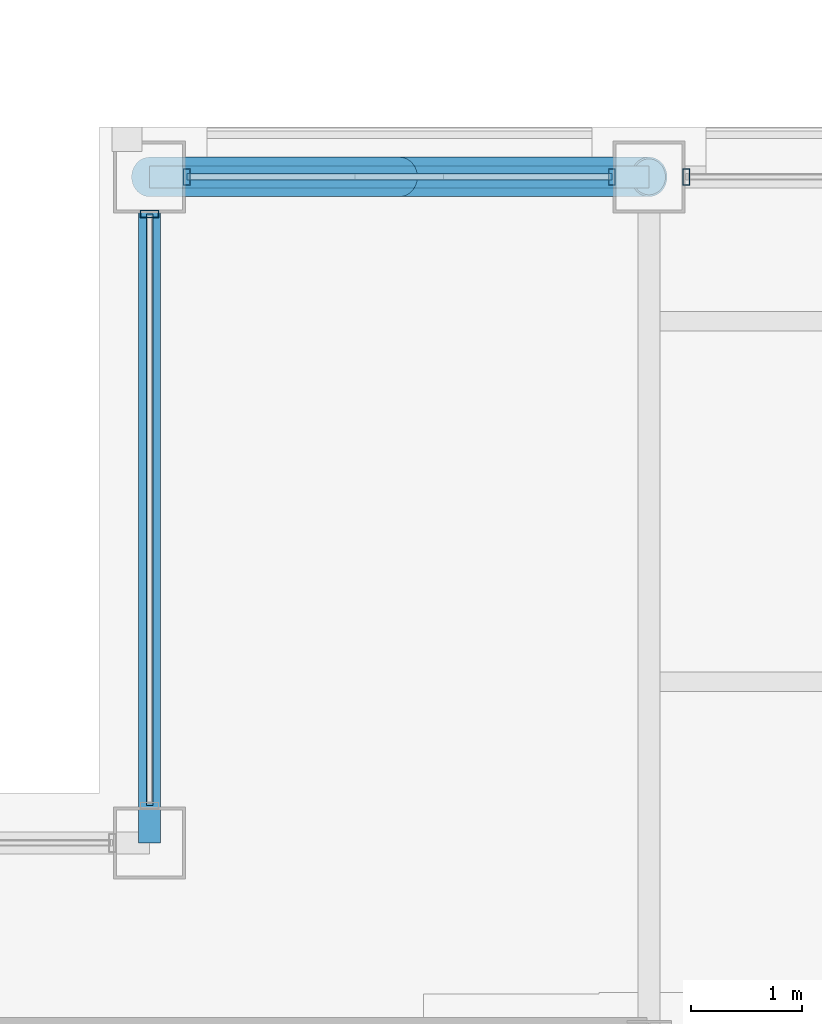
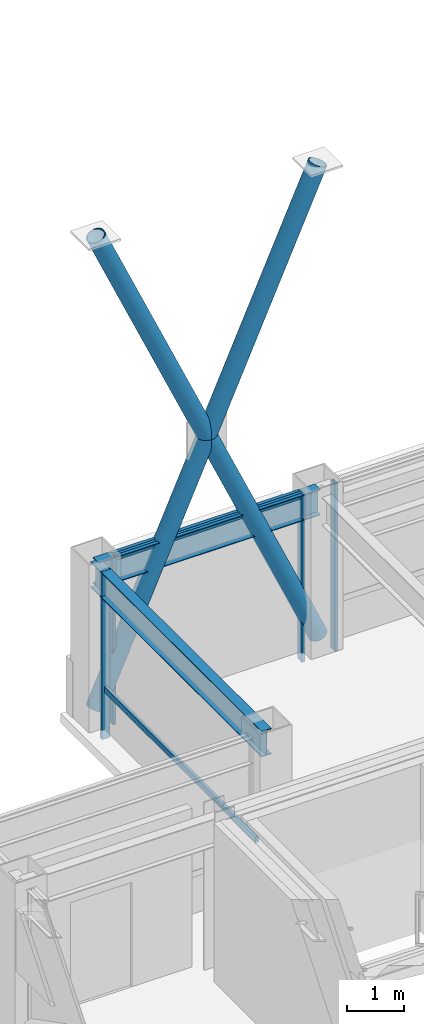
# One storey, part 19 of 30: 9 members, 2 beams, 3 elements without a shape of their own.
"""IFC4 building model written with IfcOpenShell, lengths in metres."""

import ifcopenshell
import ifcopenshell.guid

model = None  # the IFC model being written
_history = None  # IfcOwnerHistory: only IFC2X3 demands one
_inside = {}  # id of a spatial element -> (the spatial element, [elements in it])
_under = {}  # id of a project, library or spatial element -> (it, [spatial elements below it])
_declared = {}  # id of a project -> (the project, [libraries it declares])
_typed = {}  # id of a type object -> (the type object, [elements of that type])
_made_of = {}  # id of a material, layer set ... -> (it, [elements and type objects made of it])


def new_model(schema):
    """Start an empty IFC model of exactly this schema.

    Asked for "IFC4X3", IfcOpenShell would pick the latest addendum, in which some entities
    have other attributes; the version numbers below select the first issue.
    IFC2X3 requires an IfcOwnerHistory on every rooted entity: one is made here for all.
    """
    global model, _history
    if schema == "IFC4X3":
        model = ifcopenshell.file(schema_version=(4, 3, 0, 0))
    else:
        model = ifcopenshell.file(schema=schema)
    _inside.clear()
    _under.clear()
    _declared.clear()
    _typed.clear()
    _made_of.clear()
    _history = None
    if model.schema == "IFC2X3":
        org = make("IfcOrganization", Name="unknown")
        user = make(
            "IfcPersonAndOrganization",
            ThePerson=make("IfcPerson", FamilyName="unknown"),
            TheOrganization=org,
        )
        app = make(
            "IfcApplication",
            ApplicationDeveloper=org,
            Version="unknown",
            ApplicationFullName="unknown",
            ApplicationIdentifier="unknown",
        )
        _history = make(
            "IfcOwnerHistory",
            OwningUser=user,
            OwningApplication=app,
            ChangeAction="ADDED",
            CreationDate=0,
        )
    return model


def make(cls, **values):
    """One entity of the class cls with the attributes given. An attribute that is None is left unset."""
    return model.create_entity(
        cls, **{name: value for name, value in values.items() if value is not None}
    )


def rooted(cls, **values):
    """An entity with a GlobalId (a new one), such as an element, a storey or a relation."""
    return make(cls, GlobalId=ifcopenshell.guid.new(), OwnerHistory=_history, **values)


def si_unit(unit_type, name, prefix=None):
    """IfcSIUnit, for example si_unit("LENGTHUNIT", "METRE", prefix="MILLI")."""
    return make("IfcSIUnit", UnitType=unit_type, Prefix=prefix, Name=name)


def assignment(units):
    """IfcUnitAssignment: the units of a project."""
    return None if units is None else make("IfcUnitAssignment", Units=units)


def point(xyz):
    """IfcCartesianPoint."""
    return None if xyz is None else make("IfcCartesianPoint", Coordinates=xyz)


def direction(xyz):
    """IfcDirection."""
    return None if xyz is None else make("IfcDirection", DirectionRatios=xyz)


def frame(location, z_axis=None, x_axis=None):
    """IfcAxis2Placement3D, a coordinate frame: its origin and axes. An axis left out is left unset."""
    return make(
        "IfcAxis2Placement3D",
        Location=point(location),
        Axis=direction(z_axis),
        RefDirection=direction(x_axis),
    )


def frame_2d(location, x_axis=None):
    """IfcAxis2Placement2D, a coordinate frame in the plane: its origin and x axis."""
    return make(
        "IfcAxis2Placement2D", Location=point(location), RefDirection=direction(x_axis)
    )


def origin():
    """The frame at (0, 0, 0) with its axes left unset."""
    return frame((0.0, 0.0, 0.0))


def origin_2d():
    """The frame at (0, 0) in the plane with its x axis left unset."""
    return frame_2d((0.0, 0.0))


def place(relative_to, where):
    """IfcLocalPlacement: puts the frame where relative to a parent placement (None: the world)."""
    return make(
        "IfcLocalPlacement", PlacementRelTo=relative_to, RelativePlacement=where
    )


def context(
    kind, dimensions, precision=None, world=None, true_north=None, identifier=None
):
    """IfcGeometricRepresentationContext, for example the 3D "Model" context."""
    return make(
        "IfcGeometricRepresentationContext",
        ContextIdentifier=identifier,
        ContextType=kind,
        CoordinateSpaceDimension=dimensions,
        Precision=precision,
        WorldCoordinateSystem=world,
        TrueNorth=true_north,
    )


def subcontext(parent, identifier, kind, view, scale=None):
    """IfcGeometricRepresentationSubContext, for example "Body" below "Model"."""
    return make(
        "IfcGeometricRepresentationSubContext",
        ContextIdentifier=identifier,
        ContextType=kind,
        ParentContext=parent,
        TargetScale=scale,
        TargetView=view,
    )


def project(units=None, contexts=None):
    """IfcProject with its units and contexts."""
    return rooted(
        "IfcProject",
        Name="project",
        RepresentationContexts=contexts,
        UnitsInContext=assignment(units),
    )


def spatial(cls, under=None, at=None, **own):
    """A site, building, storey or space (cls), placed at a placement, below another one or the project."""
    s = rooted(cls, ObjectPlacement=at, **own)
    if under is not None:
        _under.setdefault(under.id(), (under, []))[1].append(s)
    return s


def profile(cls, at=None, kind="AREA", **sizes):
    """A parametric profile (cls). Its sizes go by their IFC names, for example OverallWidth=200.0."""
    return make(cls, ProfileType=kind, Position=at, **sizes)


def hollow_rectangle(**sizes):
    """IfcRectangleHollowProfileDef."""
    return profile("IfcRectangleHollowProfileDef", **sizes)


def hollow_circle(**sizes):
    """IfcCircleHollowProfileDef."""
    return profile("IfcCircleHollowProfileDef", **sizes)


def i_section(**sizes):
    """IfcIShapeProfileDef."""
    return profile("IfcIShapeProfileDef", **sizes)


def extrude(swept, where, along, depth):
    """IfcExtrudedAreaSolid: the profile swept, set in the frame where, extruded along a direction by depth."""
    return make(
        "IfcExtrudedAreaSolid",
        SweptArea=swept,
        Position=where,
        ExtrudedDirection=direction(along),
        Depth=depth,
    )


def shape(context_of_items, identifier, shape_type, items):
    """IfcShapeRepresentation: the items that make up one representation, for example the "Body"."""
    return make(
        "IfcShapeRepresentation",
        ContextOfItems=context_of_items,
        RepresentationIdentifier=identifier,
        RepresentationType=shape_type,
        Items=items,
    )


def material(Name=None, Category=None):
    """IfcMaterial."""
    return make("IfcMaterial", Name=Name, Category=Category)


def layer(
    of_material, thickness, ventilated=None, Name=None, Category=None, Priority=None
):
    """IfcMaterialLayer: one layer of a wall or slab, of a material (None: an air gap)."""
    return make(
        "IfcMaterialLayer",
        Material=of_material,
        LayerThickness=thickness,
        IsVentilated=ventilated,
        Name=Name,
        Category=Category,
        Priority=Priority,
    )


def layer_set(layers, Name=None):
    """IfcMaterialLayerSet."""
    return make("IfcMaterialLayerSet", MaterialLayers=layers, LayerSetName=Name)


def material_profile(
    of_material, cross_section, Name=None, Category=None, Priority=None
):
    """IfcMaterialProfile: a cross section and its material."""
    return make(
        "IfcMaterialProfile",
        Name=Name,
        Material=of_material,
        Profile=cross_section,
        Priority=Priority,
        Category=Category,
    )


def profile_set(profiles, Name=None, composite=None):
    """IfcMaterialProfileSet."""
    return make(
        "IfcMaterialProfileSet",
        Name=Name,
        MaterialProfiles=profiles,
        CompositeProfile=composite,
    )


def made_of(thing, what):
    """Note that an element or type object is made of a material, layer set ...; save() writes the relation."""
    if what is not None:
        _made_of.setdefault(what.id(), (what, []))[1].append(thing)
    return thing


def type_object(cls, material=None, **own):
    """A type object (cls), such as IfcWallType, which elements share."""
    return made_of(rooted(cls, **own), material)


def element(
    cls,
    number,
    at=None,
    inside=None,
    cuts=None,
    type_object=None,
    material=None,
    context=None,
    identifier="Body",
    shape_type=None,
    held_by="IfcProductDefinitionShape",
    body=None,
    shapes=None,
    **own,
):
    """One element of the class cls, such as IfcWall. Its Tag is "e" and its number.

    at: its placement. inside: the storey or other place that contains it. cuts: it is an
    opening in that element (IfcRelVoidsElement). A single representation is given by context,
    identifier, shape_type and body (its items); several are given by shapes. held_by: the class
    of the entity that holds the representations. save() writes the other relations.
    """
    e = rooted(cls, Tag="e%d" % number, ObjectPlacement=at, **own)
    if body is not None:
        shapes = [shape(context, identifier, shape_type, body)]
    if shapes is not None:
        e.Representation = make(held_by, Representations=shapes)
    if inside is not None:
        _inside.setdefault(inside.id(), (inside, []))[1].append(e)
    if cuts is not None:
        rooted(
            "IfcRelVoidsElement", RelatingBuildingElement=cuts, RelatedOpeningElement=e
        )
    if type_object is not None:
        _typed.setdefault(type_object.id(), (type_object, []))[1].append(e)
    return made_of(e, material)


def aggregate(whole, parts):
    """IfcRelAggregates: a whole, such as a stair, and the parts it consists of."""
    return rooted("IfcRelAggregates", RelatingObject=whole, RelatedObjects=parts)


def save(model, path):
    """Write the relations noted so far, then the file.

    IfcRelAggregates (storeys below a building ...), IfcRelContainedInSpatialStructure (elements
    in a storey), IfcRelDefinesByType, IfcRelAssociatesMaterial and IfcRelDeclares: one each for
    every whole, place, type object, material and project.
    """
    for whole, parts in _under.values():
        aggregate(whole, parts)
    for where, things in _inside.values():
        rooted(
            "IfcRelContainedInSpatialStructure",
            RelatedElements=things,
            RelatingStructure=where,
        )
    for kind, things in _typed.values():
        rooted("IfcRelDefinesByType", RelatedObjects=things, RelatingType=kind)
    for what, things in _made_of.values():
        rooted("IfcRelAssociatesMaterial", RelatedObjects=things, RelatingMaterial=what)
    for by, libraries in _declared.values():
        rooted("IfcRelDeclares", RelatingContext=by, RelatedDefinitions=libraries)
    model.write(path)


model = new_model("IFC4")

# Units and contexts
model_context = context("Model", 3, precision=1e-05, world=origin(), true_north=direction((0.0, 1.0)))
body_context = subcontext(model_context, "Body", "Model", "MODEL_VIEW")
ifc_project = project(units=[si_unit("LENGTHUNIT", "METRE"), si_unit("AREAUNIT", "SQUARE_METRE"), si_unit("VOLUMEUNIT", "CUBIC_METRE"), si_unit("PLANEANGLEUNIT", "RADIAN"), si_unit("MASSUNIT", "GRAM", prefix="KILO")], contexts=[model_context])

# Site, building, storey
site_placement = place(None, origin())
site = spatial("IfcSite", under=ifc_project, at=site_placement, CompositionType="ELEMENT")
building_placement = place(site_placement, origin())
building = spatial("IfcBuilding", under=site, at=building_placement, Name="Brelmoor Portico Tower", CompositionType="ELEMENT")
storey_placement = place(building_placement, frame((0.0, 0.0, 236.39990234375)))
storey = spatial("IfcBuildingStorey", under=building, at=storey_placement, Name="L62", CompositionType="ELEMENT", Elevation=236.39990234375)

# Beams
ifc_material_1 = material(Name="Steel Q355B", Category="steel")
ifc_material_profile_1 = material_profile(ifc_material_1, i_section(OverallWidth=0.199951171875, OverallDepth=0.550048828125, WebThickness=0.010009765625, FlangeThickness=0.01611328125, at=origin_2d()), Name="HN 550x200x10x16")
ifc_profile_set_1 = profile_set([ifc_material_profile_1], Name="Steel Q355B")
beam_type = type_object("IfcBeamType", Name="BM-SP-550", PredefinedType="SPANDREL", material=ifc_profile_set_1)
beam_1_placement = place(storey_placement, frame((-12.550048828125, 17.550048828125, 3.125), z_axis=(1.0, 0.0, 0.0), x_axis=(0.0, 1.0, 0.0)))
element("IfcBeam", 1, at=beam_1_placement, inside=storey, type_object=beam_type, Name="L62 Perimeter Spandrel Beam SP-08", PredefinedType="SPANDREL", context=body_context, shape_type="SweptSolid", body=[
    extrude(i_section(OverallWidth=0.199951171875, OverallDepth=0.550048828125, WebThickness=0.010009765625, FlangeThickness=0.01611328125, at=origin_2d()), origin(), (0.0, 0.0, 1.0), 4.5),
])
beam_2_placement = place(storey_placement, frame((-12.550048828125, 11.550048828125, 3.125), z_axis=(0.0, 1.0, 0.0), x_axis=(-1.0, 0.0, 0.0)))
element("IfcBeam", 2, at=beam_2_placement, inside=storey, type_object=beam_type, Name="L62 Perimeter Spandrel Beam SP-15", PredefinedType="SPANDREL", context=body_context, shape_type="SweptSolid", body=[
    extrude(i_section(OverallWidth=0.199951171875, OverallDepth=0.550048828125, WebThickness=0.010009765625, FlangeThickness=0.01611328125, at=origin_2d()), origin(), (0.0, 0.0, 1.0), 6.0),
])

# Members
ifc_material_profile_2 = material_profile(ifc_material_1, hollow_circle(Radius=0.177978515625, WallThickness=0.01611328125, at=origin_2d()), Name="CHS 356x16")
ifc_profile_set_2 = profile_set([ifc_material_profile_2], Name="Steel Q355B")
member_type_1 = type_object("IfcMemberType", Name="MB-BELT-DIAG2", PredefinedType="BRACE", material=ifc_profile_set_2)
member_1_placement = place(storey_placement, frame((-12.550048828125, 17.550048828125, 0.25), z_axis=(0.406974140277, 0.0, 0.913439680081), x_axis=(0.0, 1.0, 0.0)))
element("IfcMember", 3, at=member_1_placement, inside=storey, type_object=member_type_1, Name="L62 Continuous Mega-X Brace 142A", PredefinedType="BRACE", context=body_context, shape_type="SweptSolid", body=[
    extrude(hollow_circle(Radius=0.177978515625, WallThickness=0.01611328125, at=origin_2d()), origin(), (0.0, 0.0, 1.0), 11.05712890625),
])
for number, where, z_axis, x_axis, name in (
    (4, (-8.050048828125, 17.550048828125, 0.25), (-0.406974140277, 0.0, 0.913439680081), (0.0, -1.0, 0.0), "L62 Split Mega-X Brace 142B1"),
    (5, (-10.300048828125, 17.550048828125, 5.300048828125), (-0.406974140277, 0.0, 0.913439680081), (0.0, -1.0, 0.0), "L62 Split Mega-X Brace 142B2"),
):
    element("IfcMember", number, at=place(storey_placement, frame(where, z_axis=z_axis, x_axis=x_axis)), inside=storey, type_object=member_type_1, Name=name, PredefinedType="BRACE", context=body_context, shape_type="SweptSolid", body=[
        extrude(hollow_circle(Radius=0.177978515625, WallThickness=0.01611328125, at=origin_2d()), origin(), (0.0, 0.0, 1.0), 5.528564453125),
    ])

# Curtain wall, members
ifc_material_2 = material(Name="Anodised Aluminium Alloy 6063-T6", Category="aluminium")
ifc_layer_1 = layer(ifc_material_2, 0.179931640625)
ifc_layer_set_1 = layer_set([ifc_layer_1], Name="Anodised Aluminium Alloy 6063-T6")
curtain_wall_type_1 = type_object("IfcCurtainWallType", Name="CW-TOWER-Z4-XB", PredefinedType="NOTDEFINED", material=ifc_layer_set_1)
curtain_wall_1_placement = place(storey_placement, origin())
curtain_wall_1 = element("IfcCurtainWall", 6, at=curtain_wall_1_placement, inside=storey, type_object=curtain_wall_type_1, Name="L62 Curtain Wall CW-L62-2L-1", PredefinedType="NOTDEFINED")
ifc_material_profile_3 = material_profile(ifc_material_2, hollow_rectangle(XDim=0.06005859375, YDim=0.14990234375, WallThickness=0.00390625, at=origin_2d()), Name="ALU MULLION 60x150")
ifc_profile_set_3 = profile_set([ifc_material_profile_3], Name="Anodised Aluminium Alloy 6063-T6")
member_type_2 = type_object("IfcMemberType", Name="MB-CW-MULL-150", PredefinedType="MULLION", material=ifc_profile_set_3)
member_2_placement = place(storey_placement, frame((-12.215087890625, 17.550048828125, -0.199951171875), z_axis=(0.0, 0.0, 1.0), x_axis=(1.0, 0.0, 0.0)))
member_2 = element("IfcMember", 7, at=member_2_placement, type_object=member_type_2, Name="CW-L62-2L-1 Mullion 00", PredefinedType="MULLION", context=body_context, shape_type="SweptSolid", body=[
    extrude(hollow_rectangle(XDim=0.06005859375, YDim=0.14990234375, WallThickness=0.00390625, at=origin_2d()), origin(), (0.0, 0.0, 1.0), 3.60009765625),
])
member_3_placement = place(storey_placement, frame((-8.385009765625, 17.550048828125, -0.199951171875), z_axis=(0.0, 0.0, 1.0), x_axis=(1.0, 0.0, 0.0)))
member_3 = element("IfcMember", 8, at=member_3_placement, type_object=member_type_2, Name="CW-L62-2L-1 Mullion 01", PredefinedType="MULLION", context=body_context, shape_type="SweptSolid", body=[
    extrude(hollow_rectangle(XDim=0.06005859375, YDim=0.14990234375, WallThickness=0.00390625, at=origin_2d()), origin(), (0.0, 0.0, 1.0), 3.60009765625),
])

# Curtain wall, member
ifc_layer_2 = layer(ifc_material_2, 0.179931640625)
ifc_layer_set_2 = layer_set([ifc_layer_2], Name="Anodised Aluminium Alloy 6063-T6")
curtain_wall_type_2 = type_object("IfcCurtainWallType", Name="CW-TOWER-Z4", PredefinedType="NOTDEFINED", material=ifc_layer_set_2)
curtain_wall_2_placement = place(storey_placement, origin())
curtain_wall_2 = element("IfcCurtainWall", 9, at=curtain_wall_2_placement, inside=storey, type_object=curtain_wall_type_2, Name="L62 Curtain Wall CW-L62-2L-2", PredefinedType="NOTDEFINED")
member_4_placement = place(storey_placement, frame((-7.715087890625, 17.550048828125, -0.199951171875), z_axis=(0.0, 0.0, 1.0), x_axis=(1.0, 0.0, 0.0)))
member_4 = element("IfcMember", 10, at=member_4_placement, type_object=member_type_2, Name="CW-L62-2L-2 Mullion 00", PredefinedType="MULLION", context=body_context, shape_type="SweptSolid", body=[
    extrude(hollow_rectangle(XDim=0.06005859375, YDim=0.14990234375, WallThickness=0.00390625, at=origin_2d()), origin(), (0.0, 0.0, 1.0), 3.60009765625),
])
aggregate(curtain_wall_2, [member_4])

ifc_layer_3 = layer(ifc_material_2, 0.179931640625)
ifc_layer_set_3 = layer_set([ifc_layer_3], Name="Anodised Aluminium Alloy 6063-T6")
curtain_wall_type_3 = type_object("IfcCurtainWallType", Name="CW-NOTCH-CHAMFER", PredefinedType="NOTDEFINED", material=ifc_layer_set_3)
curtain_wall_3_placement = place(storey_placement, origin())
curtain_wall_3 = element("IfcCurtainWall", 11, at=curtain_wall_3_placement, inside=storey, type_object=curtain_wall_type_3, Name="L62 Curtain Wall CWN-L62-NWV", PredefinedType="NOTDEFINED")
ifc_material_profile_4 = material_profile(ifc_material_2, hollow_rectangle(XDim=0.06494140625, YDim=0.1650390625, WallThickness=0.00390625, at=origin_2d()), Name="ALU MULLION 65x165")
ifc_profile_set_4 = profile_set([ifc_material_profile_4], Name="Anodised Aluminium Alloy 6063-T6")
member_type_3 = type_object("IfcMemberType", Name="MB-CW-MULL-165", PredefinedType="MULLION", material=ifc_profile_set_4)
member_5_placement = place(storey_placement, frame((-12.550048828125, 17.215087890625, -0.199951171875), z_axis=(0.0, 0.0, 1.0), x_axis=(0.0, 1.0, 0.0)))
member_5 = element("IfcMember", 12, at=member_5_placement, type_object=member_type_3, Name="CWN-L62-NWV Mullion 01", PredefinedType="MULLION", context=body_context, shape_type="SweptSolid", body=[
    extrude(hollow_rectangle(XDim=0.06494140625, YDim=0.1650390625, WallThickness=0.00390625, at=origin_2d()), origin(), (0.0, 0.0, 1.0), 3.60009765625),
])

# Member
ifc_material_profile_5 = material_profile(ifc_material_2, hollow_rectangle(XDim=0.06005859375, YDim=0.125, WallThickness=0.00341796875, at=origin_2d()), Name="ALU TRANSOM 60x125")
ifc_profile_set_5 = profile_set([ifc_material_profile_5], Name="Anodised Aluminium Alloy 6063-T6")
member_type_4 = type_object("IfcMemberType", Name="MB-CW-TRAN-125", PredefinedType="USERDEFINED", material=ifc_profile_set_5)
member_6_placement = place(storey_placement, frame((-12.215087890625, 17.550048828125, 3.337646484375), z_axis=(1.0, 0.0, 0.0), x_axis=(0.0, 1.0, 0.0)))
member_6 = element("IfcMember", 13, at=member_6_placement, type_object=member_type_4, Name="CW-L62-2L-1 Transom 1-00", ObjectType="TRANSOM", PredefinedType="USERDEFINED", context=body_context, shape_type="SweptSolid", body=[
    extrude(hollow_rectangle(XDim=0.06005859375, YDim=0.125, WallThickness=0.00341796875, at=origin_2d()), origin(), (0.0, 0.0, 1.0), 3.830078125),
])

aggregate(curtain_wall_1, [member_2, member_3, member_6])

member_7_placement = place(storey_placement, frame((-12.550048828125, 11.885009765625, 0.85009765625), z_axis=(0.0, 1.0, 0.0), x_axis=(-1.0, 0.0, 0.0)))
member_7 = element("IfcMember", 14, at=member_7_placement, type_object=member_type_4, Name="CWN-L62-NWV Transom 1-00", ObjectType="TRANSOM", PredefinedType="USERDEFINED", context=body_context, shape_type="SweptSolid", body=[
    extrude(hollow_rectangle(XDim=0.06005859375, YDim=0.125, WallThickness=0.00341796875, at=origin_2d()), origin(), (0.0, 0.0, 1.0), 5.330078125),
])

aggregate(curtain_wall_3, [member_5, member_7])

save(model, "model.ifc")
